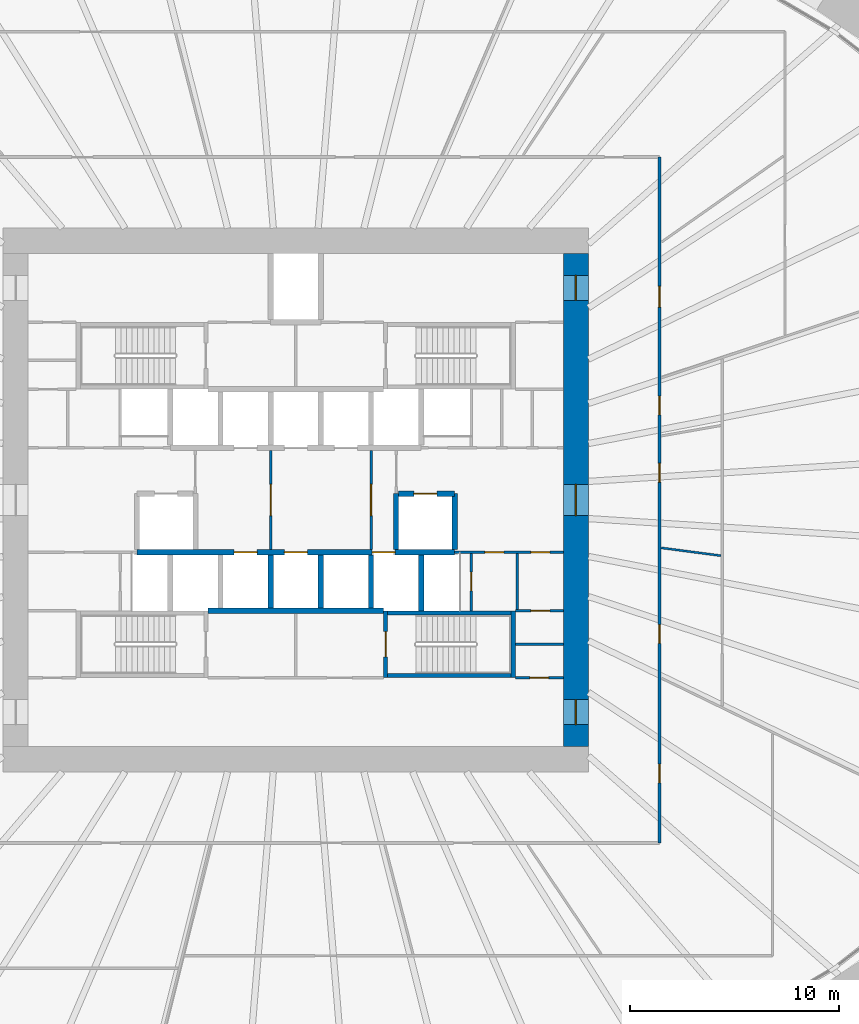
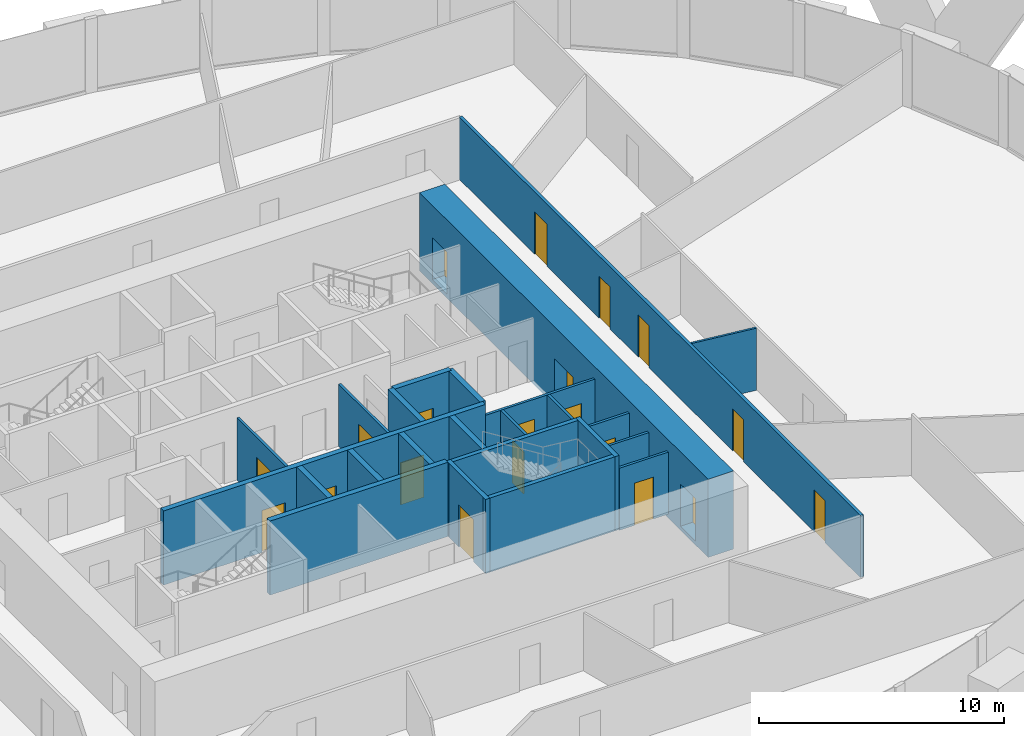
# One storey, part 8 of 12: 24 walls, 20 doors, 20 openings.
"""IFC4 building model written with IfcOpenShell, lengths in metres."""

from ifc_helpers import new_model, si_unit, direction, frame, frame_2d, origin, place, context, subcontext, project, spatial, rectangle, extrude, source, transform, mapped, material, layer, layer_set, type_object, element, fill, save


model = new_model("IFC4")

# Units and contexts
model_context = context("Model", 3, precision=1e-05, world=origin(), true_north=direction((0.0, 1.0)))
body_context = subcontext(model_context, "Body", "Model", "MODEL_VIEW")
ifc_project = project(units=[si_unit("LENGTHUNIT", "METRE"), si_unit("AREAUNIT", "SQUARE_METRE"), si_unit("VOLUMEUNIT", "CUBIC_METRE"), si_unit("PLANEANGLEUNIT", "RADIAN"), si_unit("MASSUNIT", "GRAM", prefix="KILO")], contexts=[model_context])

# Site, building, storey
site_placement = place(None, origin())
site = spatial("IfcSite", under=ifc_project, at=site_placement, CompositionType="ELEMENT")
building_placement = place(site_placement, origin())
building = spatial("IfcBuilding", under=site, at=building_placement, Name="Embergate Tower", CompositionType="ELEMENT")
storey_placement = place(building_placement, frame((0.0, 0.0, 45.800048828125)))
storey = spatial("IfcBuildingStorey", under=building, at=storey_placement, Name="L07", CompositionType="ELEMENT", Elevation=45.800048828125)

# Wall, openings, doors
ifc_material_1 = material(Name="Concrete C80", Category="concrete")
ifc_layer_1 = layer(ifc_material_1, 1.199951171875)
ifc_layer_set_1 = layer_set([ifc_layer_1], Name="Concrete C80")
wall_type_1 = type_object("IfcWallType", Name="Core outer wall C80 1200", PredefinedType="SHEAR", material=ifc_layer_set_1)
shared_shape_1 = source(origin(), body_context, "Body", "SweptSolid", [
    extrude(rectangle(XDim=23.60009765625, YDim=1.199951171875, at=frame_2d((11.800048828125, 0.0))), origin(), (0.0, 0.0, 1.0), 3.89990234375),
])
wall_1_placement = place(storey_placement, frame((13.39990234375, -11.800048828125, -0.199951171875), z_axis=(0.0, 0.0, 1.0), x_axis=(0.0, 1.0, 0.0)))
wall_1 = element("IfcWall", 1, at=wall_1_placement, inside=storey, type_object=wall_type_1, Name="CW-L07-E", PredefinedType="SHEAR", context=body_context, shape_type="MappedRepresentation", body=[
    mapped(shared_shape_1, transform((0.0, 0.0, 0.0))),
])
shared_shape_2 = source(origin(), body_context, "Body", "SweptSolid", [
    extrude(rectangle(XDim=1.199951171875, YDim=2.10009765625, at=frame_2d((0.60009765625, 1.050048828125))), frame((0.0, 0.60986328125, 0.0), z_axis=(0.0, -1.0, 0.0), x_axis=(1.0, 0.0, 0.0)), (0.0, 0.0, 1.0), 1.219970703125),
])
opening_1_placement = place(wall_1_placement, frame((21.35009765625, 0.0, 0.199951171875)))
opening_1 = element("IfcOpeningElement", 2, at=opening_1_placement, cuts=wall_1, Name="Opening IF-1", PredefinedType="OPENING", context=body_context, shape_type="MappedRepresentation", body=[
    mapped(shared_shape_2, transform((0.0, 0.0, 0.0))),
])
opening_2_placement = place(wall_1_placement, frame((1.050048828125, 0.0, 0.199951171875)))
opening_2 = element("IfcOpeningElement", 3, at=opening_2_placement, cuts=wall_1, Name="Opening IF-1", PredefinedType="OPENING", context=body_context, shape_type="MappedRepresentation", body=[
    mapped(shared_shape_2, transform((0.0, 0.0, 0.0))),
])
shared_shape_3 = source(origin(), body_context, "Body", "SweptSolid", [
    extrude(rectangle(XDim=1.5, YDim=2.10009765625, at=frame_2d((0.75, 1.050048828125))), frame((0.0, 0.60986328125, 0.0), z_axis=(0.0, -1.0, 0.0), x_axis=(1.0, 0.0, 0.0)), (0.0, 0.0, 1.0), 1.219970703125),
])
opening_3_placement = place(wall_1_placement, frame((11.050048828125, 0.0, 0.199951171875)))
opening_3 = element("IfcOpeningElement", 4, at=opening_3_placement, cuts=wall_1, Name="Opening IF-3", PredefinedType="OPENING", context=body_context, shape_type="MappedRepresentation", body=[
    mapped(shared_shape_3, transform((0.0, 0.0, 0.0))),
])
ifc_material_2 = material(Name="Escape fire door 1200")
door_type_1 = type_object("IfcDoorType", Name="Escape fire door 1200", OperationType="SINGLE_SWING_LEFT", PredefinedType="DOOR", material=ifc_material_2)
shared_shape_4 = source(origin(), body_context, "Body", "SweptSolid", [
    extrude(rectangle(XDim=1.199951171875, YDim=2.10009765625, at=frame_2d((0.60009765625, 1.050048828125))), frame((0.0, 0.02490234375, 0.0), z_axis=(0.0, -1.0, 0.0), x_axis=(1.0, 0.0, 0.0)), (0.0, 0.0, 1.0), 0.050048828125),
])
door_1_placement = place(opening_1_placement, origin())
door_1 = element("IfcDoor", 5, at=door_1_placement, inside=storey, type_object=door_type_1, Name="IF-1 door", OperationType="SINGLE_SWING_RIGHT", OverallHeight=2.10009765625, OverallWidth=1.199951171875, PredefinedType="DOOR", context=body_context, shape_type="MappedRepresentation", body=[
    mapped(shared_shape_4, transform((0.0, 0.0, 0.0))),
])
fill(opening_1, door_1)
door_2_placement = place(opening_2_placement, origin())
door_2 = element("IfcDoor", 6, at=door_2_placement, inside=storey, type_object=door_type_1, Name="IF-1 door", OperationType="SINGLE_SWING_RIGHT", OverallHeight=2.10009765625, OverallWidth=1.199951171875, PredefinedType="DOOR", context=body_context, shape_type="MappedRepresentation", body=[
    mapped(shared_shape_4, transform((0.0, 0.0, 0.0))),
])
fill(opening_2, door_2)
ifc_material_3 = material(Name="Lobby fire door pair 1500")
door_type_2 = type_object("IfcDoorType", Name="Lobby fire door pair 1500", OperationType="DOUBLE_DOOR_SINGLE_SWING", PredefinedType="DOOR", material=ifc_material_3)
shared_shape_5 = source(origin(), body_context, "Body", "SweptSolid", [
    extrude(rectangle(XDim=1.5, YDim=2.10009765625, at=frame_2d((0.75, 1.050048828125))), frame((0.0, 0.02490234375, 0.0), z_axis=(0.0, -1.0, 0.0), x_axis=(1.0, 0.0, 0.0)), (0.0, 0.0, 1.0), 0.050048828125),
])
door_3_placement = place(opening_3_placement, origin())
door_3 = element("IfcDoor", 7, at=door_3_placement, inside=storey, type_object=door_type_2, Name="IF-3 door", OperationType="DOUBLE_DOOR_SINGLE_SWING", OverallHeight=2.10009765625, OverallWidth=1.5, PredefinedType="DOOR", context=body_context, shape_type="MappedRepresentation", body=[
    mapped(shared_shape_5, transform((0.0, 0.0, 0.0))),
])
fill(opening_3, door_3)

# Walls
ifc_material_4 = material(Name="Concrete C50", Category="concrete")
ifc_layer_2 = layer(ifc_material_4, 0.25)
ifc_layer_set_2 = layer_set([ifc_layer_2], Name="Concrete C50")
wall_type_2 = type_object("IfcWallType", Name="Hoistway wall reinforced concrete 250", PredefinedType="SHEAR", material=ifc_layer_set_2)
shared_shape_6 = source(origin(), body_context, "Body", "SweptSolid", [
    extrude(rectangle(XDim=2.675048828125, YDim=0.25, at=frame_2d((1.33740234375, 0.0))), origin(), (0.0, 0.0, 1.0), 3.699951171875),
])
for number, where, z_axis, x_axis, name in (
    (8, (6.0, -5.300048828125, 0.0), (0.0, 0.0, 1.0), (0.0, 1.0, 0.0), "HW-1 wall"),
    (9, (4.800048828125, -2.375, 0.0), (0.0, 0.0, 1.0), (0.0, 1.0, 0.0), "HW-1 wall"),
):
    element("IfcWall", number, at=place(storey_placement, frame(where, z_axis=z_axis, x_axis=x_axis)), inside=storey, type_object=wall_type_2, Name=name, PredefinedType="SHEAR", context=body_context, shape_type="MappedRepresentation", body=[
        mapped(shared_shape_6, transform((0.0, 0.0, 0.0))),
    ])

# Wall, opening, door
wall_2_placement = place(storey_placement, frame((7.60009765625, 0.300048828125, 0.0), z_axis=(0.0, 0.0, 1.0), x_axis=(-1.0, 0.0, 0.0)))
wall_2 = element("IfcWall", 10, at=wall_2_placement, inside=storey, type_object=wall_type_2, Name="HW-1 wall", PredefinedType="SHEAR", context=body_context, shape_type="MappedRepresentation", body=[
    mapped(shared_shape_6, transform((0.0, 0.0, 0.0))),
])
shared_shape_7 = source(origin(), body_context, "Body", "SweptSolid", [
    extrude(rectangle(XDim=1.10009765625, YDim=2.10009765625, at=frame_2d((0.550048828125, 1.050048828125))), frame((0.0, 0.135009765625, 0.0), z_axis=(0.0, -1.0, 0.0), x_axis=(1.0, 0.0, 0.0)), (0.0, 0.0, 1.0), 0.27001953125),
])
opening_4_placement = place(wall_2_placement, frame((0.85009765625, 0.0, 0.0)))
opening_4 = element("IfcOpeningElement", 11, at=opening_4_placement, cuts=wall_2, Name="Opening LD", PredefinedType="OPENING", context=body_context, shape_type="MappedRepresentation", body=[
    mapped(shared_shape_7, transform((0.0, 0.0, 0.0))),
])
ifc_material_5 = material(Name="Landing door sliding 1100")
door_type_3 = type_object("IfcDoorType", Name="Landing door sliding 1100", OperationType="SLIDING_TO_LEFT", PredefinedType="DOOR", material=ifc_material_5)
shared_shape_8 = source(origin(), body_context, "Body", "SweptSolid", [
    extrude(rectangle(XDim=1.10009765625, YDim=2.10009765625, at=frame_2d((0.550048828125, 1.050048828125))), frame((0.0, 0.02490234375, 0.0), z_axis=(0.0, -1.0, 0.0), x_axis=(1.0, 0.0, 0.0)), (0.0, 0.0, 1.0), 0.050048828125),
])
door_4_placement = place(opening_4_placement, origin())
door_4 = element("IfcDoor", 12, at=door_4_placement, inside=storey, type_object=door_type_3, Name="LD door", OperationType="SLIDING_TO_LEFT", OverallHeight=2.10009765625, OverallWidth=1.10009765625, PredefinedType="DOOR", context=body_context, shape_type="MappedRepresentation", body=[
    mapped(shared_shape_8, transform((0.0, 0.0, 0.0))),
])
fill(opening_4, door_4)

# Walls
wall_3_placement = place(storey_placement, frame((7.60009765625, -2.375, 0.0), z_axis=(0.0, 0.0, 1.0), x_axis=(0.0, 1.0, 0.0)))
element("IfcWall", 13, at=wall_3_placement, inside=storey, type_object=wall_type_2, Name="HW-1 wall", PredefinedType="SHEAR", context=body_context, shape_type="MappedRepresentation", body=[
    mapped(shared_shape_6, transform((0.0, 0.0, 0.0))),
])
ifc_layer_3 = layer(ifc_material_4, 0.199951171875)
ifc_layer_set_3 = layer_set([ifc_layer_3], Name="Concrete C50")
wall_type_3 = type_object("IfcWallType", Name="Stair enclosure wall reinforced concrete 250", PredefinedType="SHEAR", material=ifc_layer_set_3)
shared_shape_9 = source(origin(), body_context, "Body", "SweptSolid", [
    extrude(rectangle(XDim=6.300048828125, YDim=0.199951171875, at=frame_2d((3.14990234375, 0.0))), origin(), (0.0, 0.0, 1.0), 3.699951171875),
])
for number, where, z_axis, x_axis, name in (
    (14, (4.199951171875, -5.39990234375, 0.0), (0.0, 0.0, 1.0), (1.0, 0.0, 0.0), "SE-1 wall"),
    (15, (4.199951171875, -8.39990234375, 0.0), (0.0, 0.0, 1.0), (1.0, 0.0, 0.0), "SE-1 wall"),
):
    element("IfcWall", number, at=place(storey_placement, frame(where, z_axis=z_axis, x_axis=x_axis)), inside=storey, type_object=wall_type_3, Name=name, PredefinedType="SHEAR", context=body_context, shape_type="MappedRepresentation", body=[
        mapped(shared_shape_9, transform((0.0, 0.0, 0.0))),
    ])
shared_shape_10 = source(origin(), body_context, "Body", "SweptSolid", [
    extrude(rectangle(XDim=2.550048828125, YDim=0.25, at=frame_2d((1.27490234375, 0.0))), origin(), (0.0, 0.0, 1.0), 3.699951171875),
])
for number, where, z_axis, x_axis, name in (
    (16, (-1.199951171875, -5.175048828125, 0.0), (0.0, 0.0, 1.0), (0.0, 1.0, 0.0), "HW-1 wall"),
    (17, (1.199951171875, -5.175048828125, 0.0), (0.0, 0.0, 1.0), (0.0, 1.0, 0.0), "HW-1 wall"),
    (18, (3.60009765625, -5.175048828125, 0.0), (0.0, 0.0, 1.0), (0.0, 1.0, 0.0), "HW-1 wall"),
):
    element("IfcWall", number, at=place(storey_placement, frame(where, z_axis=z_axis, x_axis=x_axis)), inside=storey, type_object=wall_type_2, Name=name, PredefinedType="SHEAR", context=body_context, shape_type="MappedRepresentation", body=[
        mapped(shared_shape_10, transform((0.0, 0.0, 0.0))),
    ])
shared_shape_11 = source(origin(), body_context, "Body", "SweptSolid", [
    extrude(rectangle(XDim=8.39990234375, YDim=0.25, at=frame_2d((4.199951171875, 0.0))), origin(), (0.0, 0.0, 1.0), 3.699951171875),
])
wall_4_placement = place(storey_placement, frame((-4.199951171875, -5.300048828125, 0.0), z_axis=(0.0, 0.0, 1.0), x_axis=(1.0, 0.0, 0.0)))
element("IfcWall", 19, at=wall_4_placement, inside=storey, type_object=wall_type_2, Name="HW-1 wall", PredefinedType="SHEAR", context=body_context, shape_type="MappedRepresentation", body=[
    mapped(shared_shape_11, transform((0.0, 0.0, 0.0))),
])

# Wall, openings, doors
shared_shape_12 = source(origin(), body_context, "Body", "SweptSolid", [
    extrude(rectangle(XDim=15.2001953125, YDim=0.25, at=frame_2d((7.60009765625, 0.0))), origin(), (0.0, 0.0, 1.0), 3.699951171875),
])
wall_5_placement = place(storey_placement, frame((7.60009765625, -2.5, 0.0), z_axis=(0.0, 0.0, 1.0), x_axis=(-1.0, 0.0, 0.0)))
wall_5 = element("IfcWall", 20, at=wall_5_placement, inside=storey, type_object=wall_type_2, Name="HW-1 wall", PredefinedType="SHEAR", context=body_context, shape_type="MappedRepresentation", body=[
    mapped(shared_shape_12, transform((0.0, 0.0, 0.0))),
])
opening_5_placement = place(wall_5_placement, frame((9.449951171875, 0.0, 0.0)))
opening_5 = element("IfcOpeningElement", 21, at=opening_5_placement, cuts=wall_5, Name="Opening LD", PredefinedType="OPENING", context=body_context, shape_type="MappedRepresentation", body=[
    mapped(shared_shape_7, transform((0.0, 0.0, 0.0))),
])
opening_6_placement = place(wall_5_placement, frame((7.050048828125, 0.0, 0.0)))
opening_6 = element("IfcOpeningElement", 22, at=opening_6_placement, cuts=wall_5, Name="Opening LD", PredefinedType="OPENING", context=body_context, shape_type="MappedRepresentation", body=[
    mapped(shared_shape_7, transform((0.0, 0.0, 0.0))),
])
opening_7_placement = place(wall_5_placement, frame((2.85009765625, 0.0, 0.0)))
opening_7 = element("IfcOpeningElement", 23, at=opening_7_placement, cuts=wall_5, Name="Opening LD", PredefinedType="OPENING", context=body_context, shape_type="MappedRepresentation", body=[
    mapped(shared_shape_7, transform((0.0, 0.0, 0.0))),
])
door_5_placement = place(opening_5_placement, origin())
door_5 = element("IfcDoor", 24, at=door_5_placement, inside=storey, type_object=door_type_3, Name="LD door", OperationType="SLIDING_TO_RIGHT", OverallHeight=2.10009765625, OverallWidth=1.10009765625, PredefinedType="DOOR", context=body_context, shape_type="MappedRepresentation", body=[
    mapped(shared_shape_8, transform((0.0, 0.0, 0.0))),
])
fill(opening_5, door_5)
door_6_placement = place(opening_6_placement, origin())
door_6 = element("IfcDoor", 25, at=door_6_placement, inside=storey, type_object=door_type_3, Name="LD door", OperationType="SLIDING_TO_RIGHT", OverallHeight=2.10009765625, OverallWidth=1.10009765625, PredefinedType="DOOR", context=body_context, shape_type="MappedRepresentation", body=[
    mapped(shared_shape_8, transform((0.0, 0.0, 0.0))),
])
fill(opening_6, door_6)
door_7_placement = place(opening_7_placement, origin())
door_7 = element("IfcDoor", 26, at=door_7_placement, inside=storey, type_object=door_type_3, Name="LD door", OperationType="SLIDING_TO_RIGHT", OverallHeight=2.10009765625, OverallWidth=1.10009765625, PredefinedType="DOOR", context=body_context, shape_type="MappedRepresentation", body=[
    mapped(shared_shape_8, transform((0.0, 0.0, 0.0))),
])
fill(opening_7, door_7)

# Wall, opening, door
shared_shape_13 = source(origin(), body_context, "Body", "SweptSolid", [
    extrude(rectangle(XDim=3.199951171875, YDim=0.199951171875, at=frame_2d((1.60009765625, 0.0))), origin(), (0.0, 0.0, 1.0), 3.699951171875),
])
wall_6_placement = place(storey_placement, frame((4.300048828125, -5.300048828125, 0.0), z_axis=(0.0, 0.0, 1.0), x_axis=(0.0, -1.0, 0.0)))
wall_6 = element("IfcWall", 27, at=wall_6_placement, inside=storey, type_object=wall_type_3, Name="SE-1 wall", PredefinedType="SHEAR", context=body_context, shape_type="MappedRepresentation", body=[
    mapped(shared_shape_13, transform((0.0, 0.0, 0.0))),
])
shared_shape_14 = source(origin(), body_context, "Body", "SweptSolid", [
    extrude(rectangle(XDim=1.199951171875, YDim=2.10009765625, at=frame_2d((0.60009765625, 1.050048828125))), frame((0.0, 0.10986328125, 0.0), z_axis=(0.0, -1.0, 0.0), x_axis=(1.0, 0.0, 0.0)), (0.0, 0.0, 1.0), 0.219970703125),
])
opening_8_placement = place(wall_6_placement, frame((1.0, 0.0, 0.0)))
opening_8 = element("IfcOpeningElement", 28, at=opening_8_placement, cuts=wall_6, Name="Opening IF-2", PredefinedType="OPENING", context=body_context, shape_type="MappedRepresentation", body=[
    mapped(shared_shape_14, transform((0.0, 0.0, 0.0))),
])
ifc_material_6 = material(Name="Stair enclosure door 1200")
door_type_4 = type_object("IfcDoorType", Name="Stair enclosure door 1200", OperationType="SINGLE_SWING_LEFT", PredefinedType="DOOR", material=ifc_material_6)
door_8_placement = place(opening_8_placement, origin())
door_8 = element("IfcDoor", 29, at=door_8_placement, inside=storey, type_object=door_type_4, Name="IF-2 door", OperationType="SINGLE_SWING_LEFT", OverallHeight=2.10009765625, OverallWidth=1.199951171875, PredefinedType="DOOR", context=body_context, shape_type="MappedRepresentation", body=[
    mapped(shared_shape_4, transform((0.0, 0.0, 0.0))),
])
fill(opening_8, door_8)

# Wall
wall_7_placement = place(storey_placement, frame((10.39990234375, -8.5, 0.0), z_axis=(0.0, 0.0, 1.0), x_axis=(0.0, 1.0, 0.0)))
element("IfcWall", 30, at=wall_7_placement, inside=storey, type_object=wall_type_3, Name="SE-1 wall", PredefinedType="SHEAR", context=body_context, shape_type="MappedRepresentation", body=[
    mapped(shared_shape_13, transform((0.0, 0.0, 0.0))),
])

# Wall, openings, doors
ifc_material_7 = material(Name="Corridor wall dry-lined 150")
ifc_layer_4 = layer(ifc_material_7, 0.14990234375)
ifc_layer_set_4 = layer_set([ifc_layer_4], Name="Corridor wall dry-lined 150")
wall_type_4 = type_object("IfcWallType", Name="Corridor wall dry-lined 150", PredefinedType="PARTITIONING", material=ifc_layer_set_4)
shared_shape_15 = source(origin(), body_context, "Body", "SweptSolid", [
    extrude(rectangle(XDim=32.7998046875, YDim=0.14990234375, at=frame_2d((16.39990234375, 0.0))), origin(), (0.0, 0.0, 1.0), 3.099853515625),
])
wall_8_placement = place(storey_placement, frame((17.39990234375, 16.39990234375, 0.0), z_axis=(0.0, 0.0, 1.0), x_axis=(0.0, -1.0, 0.0)))
wall_8 = element("IfcWall", 31, at=wall_8_placement, inside=storey, type_object=wall_type_4, Name="IP-2 wall", PredefinedType="PARTITIONING", context=body_context, shape_type="MappedRepresentation", body=[
    mapped(shared_shape_15, transform((0.0, 0.0, 0.0))),
])
shared_shape_16 = source(origin(), body_context, "Body", "SweptSolid", [
    extrude(rectangle(XDim=0.89990234375, YDim=2.10009765625, at=frame_2d((0.449951171875, 1.050048828125))), frame((0.0, 0.0849609375, 0.0), z_axis=(0.0, -1.0, 0.0), x_axis=(1.0, 0.0, 0.0)), (0.0, 0.0, 1.0), 0.169921875),
])
opening_9_placement = place(wall_8_placement, frame((29.031005859375, 0.0, 0.0)))
opening_9 = element("IfcOpeningElement", 32, at=opening_9_placement, cuts=wall_8, Name="Opening IF-1c", PredefinedType="OPENING", context=body_context, shape_type="MappedRepresentation", body=[
    mapped(shared_shape_16, transform((0.0, 0.0, 0.0))),
])
opening_10_placement = place(wall_8_placement, frame((22.361083984375, 0.0, 0.0)))
opening_10 = element("IfcOpeningElement", 33, at=opening_10_placement, cuts=wall_8, Name="Opening IF-1c", PredefinedType="OPENING", context=body_context, shape_type="MappedRepresentation", body=[
    mapped(shared_shape_16, transform((0.0, 0.0, 0.0))),
])
opening_11_placement = place(wall_8_placement, frame((14.64599609375, 0.0, 0.0)))
opening_11 = element("IfcOpeningElement", 34, at=opening_11_placement, cuts=wall_8, Name="Opening IF-1c", PredefinedType="OPENING", context=body_context, shape_type="MappedRepresentation", body=[
    mapped(shared_shape_16, transform((0.0, 0.0, 0.0))),
])
opening_12_placement = place(wall_8_placement, frame((11.429931640625, 0.0, 0.0)))
opening_12 = element("IfcOpeningElement", 35, at=opening_12_placement, cuts=wall_8, Name="Opening IF-1c", PredefinedType="OPENING", context=body_context, shape_type="MappedRepresentation", body=[
    mapped(shared_shape_16, transform((0.0, 0.0, 0.0))),
])
shared_shape_17 = source(origin(), body_context, "Body", "SweptSolid", [
    extrude(rectangle(XDim=1.0, YDim=2.10009765625, at=frame_2d((0.5, 1.050048828125))), frame((0.0, 0.0849609375, 0.0), z_axis=(0.0, -1.0, 0.0), x_axis=(1.0, 0.0, 0.0)), (0.0, 0.0, 1.0), 0.169921875),
])
opening_13_placement = place(wall_8_placement, frame((6.178955078125, 0.0, 0.0)))
opening_13 = element("IfcOpeningElement", 36, at=opening_13_placement, cuts=wall_8, Name="Opening ID-2", PredefinedType="OPENING", context=body_context, shape_type="MappedRepresentation", body=[
    mapped(shared_shape_17, transform((0.0, 0.0, 0.0))),
])
ifc_material_8 = material(Name="Escape fire door 900")
door_type_5 = type_object("IfcDoorType", Name="Escape fire door 900", OperationType="SINGLE_SWING_LEFT", PredefinedType="DOOR", material=ifc_material_8)
shared_shape_18 = source(origin(), body_context, "Body", "SweptSolid", [
    extrude(rectangle(XDim=0.89990234375, YDim=2.10009765625, at=frame_2d((0.449951171875, 1.050048828125))), frame((0.0, 0.02490234375, 0.0), z_axis=(0.0, -1.0, 0.0), x_axis=(1.0, 0.0, 0.0)), (0.0, 0.0, 1.0), 0.050048828125),
])
door_9_placement = place(opening_9_placement, origin())
door_9 = element("IfcDoor", 37, at=door_9_placement, inside=storey, type_object=door_type_5, Name="IF-1 door", OperationType="SINGLE_SWING_LEFT", OverallHeight=2.10009765625, OverallWidth=0.89990234375, PredefinedType="DOOR", context=body_context, shape_type="MappedRepresentation", body=[
    mapped(shared_shape_18, transform((0.0, 0.0, 0.0))),
])
fill(opening_9, door_9)
door_10_placement = place(opening_10_placement, origin())
door_10 = element("IfcDoor", 38, at=door_10_placement, inside=storey, type_object=door_type_5, Name="IF-1 door", OperationType="SINGLE_SWING_LEFT", OverallHeight=2.10009765625, OverallWidth=0.89990234375, PredefinedType="DOOR", context=body_context, shape_type="MappedRepresentation", body=[
    mapped(shared_shape_18, transform((0.0, 0.0, 0.0))),
])
fill(opening_10, door_10)
door_11_placement = place(opening_11_placement, origin())
door_11 = element("IfcDoor", 39, at=door_11_placement, inside=storey, type_object=door_type_5, Name="IF-1 door", OperationType="SINGLE_SWING_RIGHT", OverallHeight=2.10009765625, OverallWidth=0.89990234375, PredefinedType="DOOR", context=body_context, shape_type="MappedRepresentation", body=[
    mapped(shared_shape_18, transform((0.0, 0.0, 0.0))),
])
fill(opening_11, door_11)
door_12_placement = place(opening_12_placement, origin())
door_12 = element("IfcDoor", 40, at=door_12_placement, inside=storey, type_object=door_type_5, Name="IF-1 door", OperationType="SINGLE_SWING_RIGHT", OverallHeight=2.10009765625, OverallWidth=0.89990234375, PredefinedType="DOOR", context=body_context, shape_type="MappedRepresentation", body=[
    mapped(shared_shape_18, transform((0.0, 0.0, 0.0))),
])
fill(opening_12, door_12)
ifc_material_9 = material(Name="Interior door 1000")
door_type_6 = type_object("IfcDoorType", Name="Interior door 1000", OperationType="SINGLE_SWING_LEFT", PredefinedType="DOOR", material=ifc_material_9)
shared_shape_19 = source(origin(), body_context, "Body", "SweptSolid", [
    extrude(rectangle(XDim=1.0, YDim=2.10009765625, at=frame_2d((0.5, 1.050048828125))), frame((0.0, 0.02490234375, 0.0), z_axis=(0.0, -1.0, 0.0), x_axis=(1.0, 0.0, 0.0)), (0.0, 0.0, 1.0), 0.050048828125),
])
door_13_placement = place(opening_13_placement, origin())
door_13 = element("IfcDoor", 41, at=door_13_placement, inside=storey, type_object=door_type_6, Name="ID-2 door", OperationType="SINGLE_SWING_RIGHT", OverallHeight=2.10009765625, OverallWidth=1.0, PredefinedType="DOOR", context=body_context, shape_type="MappedRepresentation", body=[
    mapped(shared_shape_19, transform((0.0, 0.0, 0.0))),
])
fill(opening_13, door_13)

# Wall
ifc_material_10 = material(Name="Partition dry-lined 100 wet")
ifc_layer_5 = layer(ifc_material_10, 0.10009765625)
ifc_layer_set_5 = layer_set([ifc_layer_5], Name="Partition dry-lined 100 wet")
wall_type_5 = type_object("IfcWallType", Name="Partition dry-lined 100 wet", PredefinedType="PLUMBINGWALL", material=ifc_layer_set_5)
shared_shape_20 = source(origin(), body_context, "Body", "SweptSolid", [
    extrude(rectangle(XDim=2.885498046875, YDim=0.10009765625, at=frame_2d((1.44287109375, 0.0))), origin(), (0.0, 0.0, 1.0), 3.099853515625),
])
wall_9_placement = place(storey_placement, frame((17.48193359375, -2.2900390625, 0.0), z_axis=(0.0, 0.0, 1.0), x_axis=(0.991519542013, -0.12995767698, 0.0)))
element("IfcWall", 42, at=wall_9_placement, inside=storey, type_object=wall_type_5, Name="IP-1 wall", PredefinedType="PLUMBINGWALL", context=body_context, shape_type="MappedRepresentation", body=[
    mapped(shared_shape_20, transform((0.0, 0.0, 0.0))),
])

# Wall, opening, door
ifc_material_11 = material(Name="Core partition blockwork 120")
ifc_layer_6 = layer(ifc_material_11, 0.1201171875)
ifc_layer_set_6 = layer_set([ifc_layer_6], Name="Core partition blockwork 120")
wall_type_6 = type_object("IfcWallType", Name="Core partition blockwork 120", PredefinedType="PARTITIONING", material=ifc_layer_set_6)
shared_shape_21 = source(origin(), body_context, "Body", "SweptSolid", [
    extrude(rectangle(XDim=2.739990234375, YDim=0.1201171875, at=frame_2d((1.3701171875, 0.0))), origin(), (0.0, 0.0, 1.0), 3.099853515625),
])
wall_10_placement = place(storey_placement, frame((8.39990234375, -5.300048828125, 0.0), z_axis=(0.0, 0.0, 1.0), x_axis=(0.0, 1.0, 0.0)))
wall_10 = element("IfcWall", 43, at=wall_10_placement, inside=storey, type_object=wall_type_6, Name="IP-3 wall", PredefinedType="PARTITIONING", context=body_context, shape_type="MappedRepresentation", body=[
    mapped(shared_shape_21, transform((0.0, 0.0, 0.0))),
])
shared_shape_22 = source(origin(), body_context, "Body", "SweptSolid", [
    extrude(rectangle(XDim=0.89990234375, YDim=2.10009765625, at=frame_2d((0.449951171875, 1.050048828125))), frame((0.0, 0.070068359375, 0.0), z_axis=(0.0, -1.0, 0.0), x_axis=(1.0, 0.0, 0.0)), (0.0, 0.0, 1.0), 0.14013671875),
])
opening_14_placement = place(wall_10_placement, frame((0.949951171875, 0.0, 0.0)))
opening_14 = element("IfcOpeningElement", 44, at=opening_14_placement, cuts=wall_10, Name="Opening ID-1", PredefinedType="OPENING", context=body_context, shape_type="MappedRepresentation", body=[
    mapped(shared_shape_22, transform((0.0, 0.0, 0.0))),
])
ifc_material_12 = material(Name="Interior door 900")
door_type_7 = type_object("IfcDoorType", Name="Interior door 900", OperationType="SINGLE_SWING_LEFT", PredefinedType="DOOR", material=ifc_material_12)
door_14_placement = place(opening_14_placement, origin())
door_14 = element("IfcDoor", 45, at=door_14_placement, inside=storey, type_object=door_type_7, Name="ID-1 door", OperationType="SINGLE_SWING_LEFT", OverallHeight=2.10009765625, OverallWidth=0.89990234375, PredefinedType="DOOR", context=body_context, shape_type="MappedRepresentation", body=[
    mapped(shared_shape_18, transform((0.0, 0.0, 0.0))),
])
fill(opening_14, door_14)

# Wall, openings, doors
shared_shape_23 = source(origin(), body_context, "Body", "SweptSolid", [
    extrude(rectangle(XDim=5.199951171875, YDim=0.1201171875, at=frame_2d((2.60009765625, 0.0))), origin(), (0.0, 0.0, 1.0), 3.099853515625),
])
wall_11_placement = place(storey_placement, frame((12.800048828125, -2.5, 0.0), z_axis=(0.0, 0.0, 1.0), x_axis=(-1.0, 0.0, 0.0)))
wall_11 = element("IfcWall", 46, at=wall_11_placement, inside=storey, type_object=wall_type_6, Name="IP-3 wall", PredefinedType="PARTITIONING", context=body_context, shape_type="MappedRepresentation", body=[
    mapped(shared_shape_23, transform((0.0, 0.0, 0.0))),
])
opening_15_placement = place(wall_11_placement, frame((2.85009765625, 0.0, 0.0)))
opening_15 = element("IfcOpeningElement", 47, at=opening_15_placement, cuts=wall_11, Name="Opening ID-1", PredefinedType="OPENING", context=body_context, shape_type="MappedRepresentation", body=[
    mapped(shared_shape_22, transform((0.0, 0.0, 0.0))),
])
opening_16_placement = place(wall_11_placement, frame((0.64990234375, 0.0, 0.0)))
opening_16 = element("IfcOpeningElement", 48, at=opening_16_placement, cuts=wall_11, Name="Opening ID-1", PredefinedType="OPENING", context=body_context, shape_type="MappedRepresentation", body=[
    mapped(shared_shape_22, transform((0.0, 0.0, 0.0))),
])
door_15_placement = place(opening_15_placement, origin())
door_15 = element("IfcDoor", 49, at=door_15_placement, inside=storey, type_object=door_type_7, Name="ID-1 door", OperationType="SINGLE_SWING_LEFT", OverallHeight=2.10009765625, OverallWidth=0.89990234375, PredefinedType="DOOR", context=body_context, shape_type="MappedRepresentation", body=[
    mapped(shared_shape_18, transform((0.0, 0.0, 0.0))),
])
fill(opening_15, door_15)
door_16_placement = place(opening_16_placement, origin())
door_16 = element("IfcDoor", 50, at=door_16_placement, inside=storey, type_object=door_type_7, Name="ID-1 door", OperationType="SINGLE_SWING_LEFT", OverallHeight=2.10009765625, OverallWidth=0.89990234375, PredefinedType="DOOR", context=body_context, shape_type="MappedRepresentation", body=[
    mapped(shared_shape_18, transform((0.0, 0.0, 0.0))),
])
fill(opening_16, door_16)

# Wall, opening, door
shared_shape_24 = source(origin(), body_context, "Body", "SweptSolid", [
    extrude(rectangle(XDim=4.75, YDim=0.1201171875, at=frame_2d((2.375, 0.0))), origin(), (0.0, 0.0, 1.0), 3.099853515625),
])
wall_12_placement = place(storey_placement, frame((-1.199951171875, -2.375, 0.0), z_axis=(0.0, 0.0, 1.0), x_axis=(0.0, 1.0, 0.0)))
wall_12 = element("IfcWall", 51, at=wall_12_placement, inside=storey, type_object=wall_type_6, Name="IP-3 wall", PredefinedType="PARTITIONING", context=body_context, shape_type="MappedRepresentation", body=[
    mapped(shared_shape_24, transform((0.0, 0.0, 0.0))),
])
shared_shape_25 = source(origin(), body_context, "Body", "SweptSolid", [
    extrude(rectangle(XDim=1.5, YDim=2.10009765625, at=frame_2d((0.75, 1.050048828125))), frame((0.0, 0.070068359375, 0.0), z_axis=(0.0, -1.0, 0.0), x_axis=(1.0, 0.0, 0.0)), (0.0, 0.0, 1.0), 0.14013671875),
])
opening_17_placement = place(wall_12_placement, frame((1.625, 0.0, 0.0)))
opening_17 = element("IfcOpeningElement", 52, at=opening_17_placement, cuts=wall_12, Name="Opening IF-3", PredefinedType="OPENING", context=body_context, shape_type="MappedRepresentation", body=[
    mapped(shared_shape_25, transform((0.0, 0.0, 0.0))),
])
door_17_placement = place(opening_17_placement, origin())
door_17 = element("IfcDoor", 53, at=door_17_placement, inside=storey, type_object=door_type_2, Name="IF-3 door", OperationType="DOUBLE_DOOR_SINGLE_SWING", OverallHeight=2.10009765625, OverallWidth=1.5, PredefinedType="DOOR", context=body_context, shape_type="MappedRepresentation", body=[
    mapped(shared_shape_5, transform((0.0, 0.0, 0.0))),
])
fill(opening_17, door_17)

wall_13_placement = place(storey_placement, frame((3.60009765625, -2.375, 0.0), z_axis=(0.0, 0.0, 1.0), x_axis=(0.0, 1.0, 0.0)))
wall_13 = element("IfcWall", 54, at=wall_13_placement, inside=storey, type_object=wall_type_6, Name="IP-3 wall", PredefinedType="PARTITIONING", context=body_context, shape_type="MappedRepresentation", body=[
    mapped(shared_shape_24, transform((0.0, 0.0, 0.0))),
])
opening_18_placement = place(wall_13_placement, frame((1.625, 0.0, 0.0)))
opening_18 = element("IfcOpeningElement", 55, at=opening_18_placement, cuts=wall_13, Name="Opening IF-3", PredefinedType="OPENING", context=body_context, shape_type="MappedRepresentation", body=[
    mapped(shared_shape_25, transform((0.0, 0.0, 0.0))),
])
door_18_placement = place(opening_18_placement, origin())
door_18 = element("IfcDoor", 56, at=door_18_placement, inside=storey, type_object=door_type_2, Name="IF-3 door", OperationType="DOUBLE_DOOR_SINGLE_SWING", OverallHeight=2.10009765625, OverallWidth=1.5, PredefinedType="DOOR", context=body_context, shape_type="MappedRepresentation", body=[
    mapped(shared_shape_5, transform((0.0, 0.0, 0.0))),
])
fill(opening_18, door_18)

shared_shape_26 = source(origin(), body_context, "Body", "SweptSolid", [
    extrude(rectangle(XDim=2.300048828125, YDim=0.1201171875, at=frame_2d((1.14990234375, 0.0))), origin(), (0.0, 0.0, 1.0), 3.099853515625),
])
wall_14_placement = place(storey_placement, frame((12.800048828125, -8.5, 0.0), z_axis=(0.0, 0.0, 1.0), x_axis=(-1.0, 0.0, 0.0)))
wall_14 = element("IfcWall", 57, at=wall_14_placement, inside=storey, type_object=wall_type_6, Name="IP-3 wall", PredefinedType="PARTITIONING", context=body_context, shape_type="MappedRepresentation", body=[
    mapped(shared_shape_26, transform((0.0, 0.0, 0.0))),
])
opening_19_placement = place(wall_14_placement, frame((0.699951171875, 0.0, 0.0)))
opening_19 = element("IfcOpeningElement", 58, at=opening_19_placement, cuts=wall_14, Name="Opening ID-1", PredefinedType="OPENING", context=body_context, shape_type="MappedRepresentation", body=[
    mapped(shared_shape_22, transform((0.0, 0.0, 0.0))),
])
door_19_placement = place(opening_19_placement, origin())
door_19 = element("IfcDoor", 59, at=door_19_placement, inside=storey, type_object=door_type_7, Name="ID-1 door", OperationType="SINGLE_SWING_RIGHT", OverallHeight=2.10009765625, OverallWidth=0.89990234375, PredefinedType="DOOR", context=body_context, shape_type="MappedRepresentation", body=[
    mapped(shared_shape_18, transform((0.0, 0.0, 0.0))),
])
fill(opening_19, door_19)

wall_15_placement = place(storey_placement, frame((10.5, -5.300048828125, 0.0), z_axis=(0.0, 0.0, 1.0), x_axis=(1.0, 0.0, 0.0)))
wall_15 = element("IfcWall", 60, at=wall_15_placement, inside=storey, type_object=wall_type_6, Name="IP-3 wall", PredefinedType="PARTITIONING", context=body_context, shape_type="MappedRepresentation", body=[
    mapped(shared_shape_26, transform((0.0, 0.0, 0.0))),
])
opening_20_placement = place(wall_15_placement, frame((0.75, 0.0, 0.0)))
opening_20 = element("IfcOpeningElement", 61, at=opening_20_placement, cuts=wall_15, Name="Opening ID-1", PredefinedType="OPENING", context=body_context, shape_type="MappedRepresentation", body=[
    mapped(shared_shape_22, transform((0.0, 0.0, 0.0))),
])
door_20_placement = place(opening_20_placement, origin())
door_20 = element("IfcDoor", 62, at=door_20_placement, inside=storey, type_object=door_type_7, Name="ID-1 door", OperationType="SINGLE_SWING_RIGHT", OverallHeight=2.10009765625, OverallWidth=0.89990234375, PredefinedType="DOOR", context=body_context, shape_type="MappedRepresentation", body=[
    mapped(shared_shape_18, transform((0.0, 0.0, 0.0))),
])
fill(opening_20, door_20)

# Walls
wall_16_placement = place(storey_placement, frame((12.800048828125, -6.89990234375, 0.0), z_axis=(0.0, 0.0, 1.0), x_axis=(-1.0, 0.0, 0.0)))
element("IfcWall", 63, at=wall_16_placement, inside=storey, type_object=wall_type_6, Name="IP-3 wall", PredefinedType="PARTITIONING", context=body_context, shape_type="MappedRepresentation", body=[
    mapped(shared_shape_26, transform((0.0, 0.0, 0.0))),
])
shared_shape_27 = source(origin(), body_context, "Body", "SweptSolid", [
    extrude(rectangle(XDim=2.679931640625, YDim=0.1201171875, at=frame_2d((1.33984375, 0.0))), origin(), (0.0, 0.0, 1.0), 3.099853515625),
])
wall_17_placement = place(storey_placement, frame((10.60009765625, -5.239990234375, 0.0), z_axis=(0.0, 0.0, 1.0), x_axis=(0.0, 1.0, 0.0)))
element("IfcWall", 64, at=wall_17_placement, inside=storey, type_object=wall_type_6, Name="IP-3 wall", PredefinedType="PARTITIONING", context=body_context, shape_type="MappedRepresentation", body=[
    mapped(shared_shape_27, transform((0.0, 0.0, 0.0))),
])

save(model, "model.ifc")
